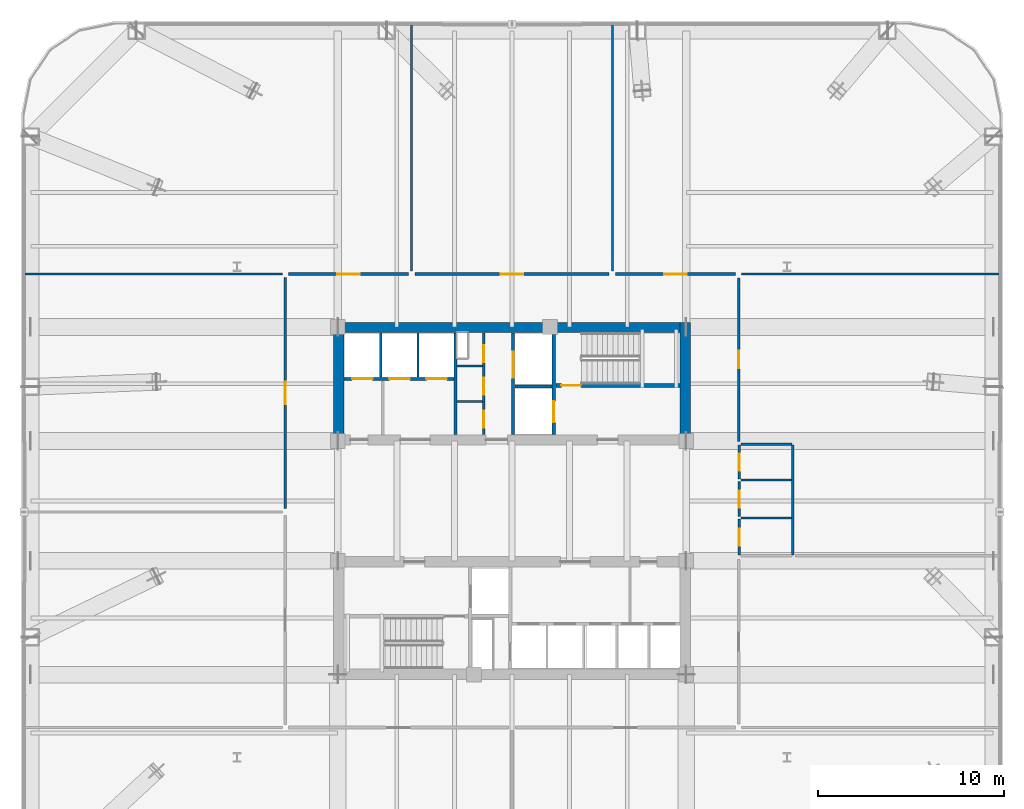
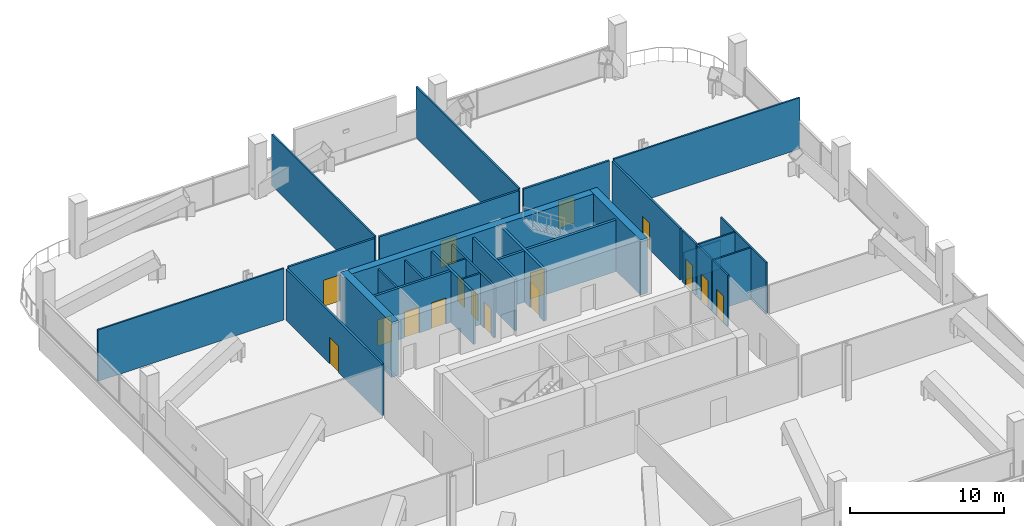
# One storey, part 31 of 38: 30 walls, 17 doors, 17 openings.
"""IFC4 building model written with IfcOpenShell, lengths in metres."""

from ifc_helpers import new_model, si_unit, direction, frame, frame_2d, origin, place, context, subcontext, project, spatial, rectangle, extrude, material, layer, layer_set, type_object, element, fill, save


model = new_model("IFC4")

# Units and contexts
model_context = context("Model", 3, precision=1e-05, world=origin(), true_north=direction((0.0, 1.0)))
body_context = subcontext(model_context, "Body", "Model", "MODEL_VIEW")
ifc_project = project(units=[si_unit("LENGTHUNIT", "METRE"), si_unit("AREAUNIT", "SQUARE_METRE"), si_unit("VOLUMEUNIT", "CUBIC_METRE"), si_unit("PLANEANGLEUNIT", "RADIAN"), si_unit("MASSUNIT", "GRAM", prefix="KILO")], contexts=[model_context])

# Site, building, storey
site_placement = place(None, origin())
site = spatial("IfcSite", under=ifc_project, at=site_placement, CompositionType="ELEMENT")
building_placement = place(site_placement, origin())
building = spatial("IfcBuilding", under=site, at=building_placement, Name="Qhalaya Broadcast Tower", CompositionType="ELEMENT")
storey_placement = place(building_placement, frame((0.0, 0.0, 53.550048828125)))
storey = spatial("IfcBuildingStorey", under=building, at=storey_placement, Name="L15", CompositionType="ELEMENT", Elevation=53.550048828125)

# Wall, openings, doors
ifc_material_1 = material(Name="Gypsum Acoustic Partition")
ifc_layer_1 = layer(ifc_material_1, 0.14990234375, Name="Gypsum Acoustic Partition")
ifc_layer_set_1 = layer_set([ifc_layer_1], Name="Gypsum Acoustic Partition")
wall_type_1 = type_object("IfcWallType", Name="Corridor & Tenancy Acoustic Partition 150", PredefinedType="PARTITIONING", material=ifc_layer_set_1)
wall_1_placement = place(storey_placement, frame((-1.52001953125, 4.169921875, 0.0), z_axis=(0.0, 0.0, 1.0), x_axis=(0.0, 1.0, 0.0)))
wall_1 = element("IfcWall", 1, at=wall_1_placement, inside=storey, type_object=wall_type_1, Name="L15 Partition Wall NCW-SVL", PredefinedType="PARTITIONING", context=body_context, shape_type="SweptSolid", body=[
    extrude(rectangle(XDim=5.4599609375, YDim=0.14990234375, at=frame_2d((2.72998046875, 0.0))), origin(), (0.0, 0.0, 1.0), 4.070068359375),
])
opening_1_placement = place(wall_1_placement, frame((3.89990234375, 0.0, 0.0)))
opening_1 = element("IfcOpeningElement", 2, at=opening_1_placement, cuts=wall_1, Name="Opening D06", PredefinedType="OPENING", context=body_context, shape_type="SweptSolid", body=[
    extrude(rectangle(XDim=0.89990234375, YDim=2.050048828125, at=frame_2d((0.449951171875, 1.02490234375))), frame((0.0, 0.0869140625, 0.0), z_axis=(0.0, -1.0, 0.0), x_axis=(1.0, 0.0, 0.0)), (0.0, 0.0, 1.0), 0.173828125),
])
opening_2_placement = place(wall_1_placement, frame((2.14990234375, 0.0, 0.0)))
opening_2 = element("IfcOpeningElement", 3, at=opening_2_placement, cuts=wall_1, Name="Opening D06", PredefinedType="OPENING", context=body_context, shape_type="SweptSolid", body=[
    extrude(rectangle(XDim=0.89990234375, YDim=2.050048828125, at=frame_2d((0.449951171875, 1.02490234375))), frame((0.0, 0.0869140625, 0.0), z_axis=(0.0, -1.0, 0.0), x_axis=(1.0, 0.0, 0.0)), (0.0, 0.0, 1.0), 0.173828125),
])
opening_3_placement = place(wall_1_placement, frame((0.35009765625, 0.0, 0.0)))
opening_3 = element("IfcOpeningElement", 4, at=opening_3_placement, cuts=wall_1, Name="Opening D12", PredefinedType="OPENING", context=body_context, shape_type="SweptSolid", body=[
    extrude(rectangle(XDim=0.919921875, YDim=2.10009765625, at=frame_2d((0.4599609375, 1.050048828125))), frame((0.0, 0.0869140625, 0.0), z_axis=(0.0, -1.0, 0.0), x_axis=(1.0, 0.0, 0.0)), (0.0, 0.0, 1.0), 0.173828125),
])
ifc_material_2 = material(Name="Timber Veneer Acoustic Door", Category="wood")
door_type_1 = type_object("IfcDoorType", Name="Accessible WC & Restroom Door D12", OperationType="NOTDEFINED", PredefinedType="DOOR", material=ifc_material_2)
door_1_placement = place(opening_3_placement, origin())
door_1 = element("IfcDoor", 5, at=door_1_placement, inside=storey, type_object=door_type_1, Name="L15 Door D-NCWC", OperationType="SINGLE_SWING_RIGHT", OverallHeight=2.10009765625, OverallWidth=0.919921875, PredefinedType="DOOR", context=body_context, shape_type="SweptSolid", body=[
    extrude(rectangle(XDim=0.919921875, YDim=2.10009765625, at=frame_2d((0.4599609375, 1.050048828125))), frame((0.0, 0.02490234375, 0.0), z_axis=(0.0, -1.0, 0.0), x_axis=(1.0, 0.0, 0.0)), (0.0, 0.0, 1.0), 0.050048828125),
])
fill(opening_3, door_1)
ifc_material_3 = material(Name="Fire-Rated Steel Door", Category="steel")
door_type_2 = type_object("IfcDoorType", Name="Riser & Electrical Shaft Access Door D06", OperationType="NOTDEFINED", PredefinedType="DOOR", material=ifc_material_3)
door_2_placement = place(opening_1_placement, origin())
door_2 = element("IfcDoor", 6, at=door_2_placement, inside=storey, type_object=door_type_2, Name="L15 Riser Shaft Access Door D-NRSR", OperationType="SINGLE_SWING_RIGHT", OverallHeight=2.050048828125, OverallWidth=0.89990234375, PredefinedType="DOOR", context=body_context, shape_type="SweptSolid", body=[
    extrude(rectangle(XDim=0.89990234375, YDim=2.050048828125, at=frame_2d((0.449951171875, 1.02490234375))), frame((0.0, 0.02490234375, 0.0), z_axis=(0.0, -1.0, 0.0), x_axis=(1.0, 0.0, 0.0)), (0.0, 0.0, 1.0), 0.050048828125),
])
fill(opening_1, door_2)
door_3_placement = place(opening_2_placement, origin())
door_3 = element("IfcDoor", 7, at=door_3_placement, inside=storey, type_object=door_type_2, Name="L15 Door D-NITR", OperationType="SINGLE_SWING_LEFT", OverallHeight=2.050048828125, OverallWidth=0.89990234375, PredefinedType="DOOR", context=body_context, shape_type="SweptSolid", body=[
    extrude(rectangle(XDim=0.89990234375, YDim=2.050048828125, at=frame_2d((0.449951171875, 1.02490234375))), frame((0.0, 0.02490234375, 0.0), z_axis=(0.0, -1.0, 0.0), x_axis=(1.0, 0.0, 0.0)), (0.0, 0.0, 1.0), 0.050048828125),
])
fill(opening_2, door_3)

# Wall, opening, door
wall_2_placement = place(storey_placement, frame((-12.02001953125, 12.800048828125, 0.0), z_axis=(0.0, 0.0, 1.0), x_axis=(1.0, 0.0, 0.0)))
wall_2 = element("IfcWall", 8, at=wall_2_placement, inside=storey, type_object=wall_type_1, Name="L15 Partition Wall W-COR-01", PredefinedType="PARTITIONING", context=body_context, shape_type="SweptSolid", body=[
    extrude(rectangle(XDim=6.43994140625, YDim=0.14990234375, at=frame_2d((3.219970703125, 0.0))), origin(), (0.0, 0.0, 1.0), 4.070068359375),
])
opening_4_placement = place(wall_2_placement, frame((2.6201171875, 0.0, 0.0)))
opening_4 = element("IfcOpeningElement", 9, at=opening_4_placement, cuts=wall_2, Name="Opening D11", PredefinedType="OPENING", context=body_context, shape_type="SweptSolid", body=[
    extrude(rectangle(XDim=1.199951171875, YDim=2.10009765625, at=frame_2d((0.60009765625, 1.050048828125))), frame((0.0, 0.0869140625, 0.0), z_axis=(0.0, -1.0, 0.0), x_axis=(1.0, 0.0, 0.0)), (0.0, 0.0, 1.0), 0.173828125),
])
ifc_material_4 = material(Name="Anodised Aluminium Glazed Door", Category="aluminium")
door_type_3 = type_object("IfcDoorType", Name="Conference, Boardroom & Studio Control Door D11", OperationType="NOTDEFINED", PredefinedType="DOOR", material=ifc_material_4)
door_4_placement = place(opening_4_placement, origin())
door_4 = element("IfcDoor", 10, at=door_4_placement, inside=storey, type_object=door_type_3, Name="L15 Door D-RM01", OperationType="SINGLE_SWING_LEFT", OverallHeight=2.10009765625, OverallWidth=1.199951171875, PredefinedType="DOOR", context=body_context, shape_type="SweptSolid", body=[
    extrude(rectangle(XDim=1.199951171875, YDim=2.10009765625, at=frame_2d((0.60009765625, 1.050048828125))), frame((0.0, 0.02490234375, 0.0), z_axis=(0.0, -1.0, 0.0), x_axis=(1.0, 0.0, 0.0)), (0.0, 0.0, 1.0), 0.050048828125),
])
fill(opening_4, door_4)

wall_3_placement = place(storey_placement, frame((-5.219970703125, 12.800048828125, 0.0), z_axis=(0.0, 0.0, 1.0), x_axis=(1.0, 0.0, 0.0)))
wall_3 = element("IfcWall", 11, at=wall_3_placement, inside=storey, type_object=wall_type_1, Name="L15 Partition Wall W-COR-02", PredefinedType="PARTITIONING", context=body_context, shape_type="SweptSolid", body=[
    extrude(rectangle(XDim=10.43994140625, YDim=0.14990234375, at=frame_2d((5.219970703125, 0.0))), origin(), (0.0, 0.0, 1.0), 4.070068359375),
])
opening_5_placement = place(wall_3_placement, frame((4.6201171875, 0.0, 0.0)))
opening_5 = element("IfcOpeningElement", 12, at=opening_5_placement, cuts=wall_3, Name="Opening D11", PredefinedType="OPENING", context=body_context, shape_type="SweptSolid", body=[
    extrude(rectangle(XDim=1.199951171875, YDim=2.10009765625, at=frame_2d((0.60009765625, 1.050048828125))), frame((0.0, 0.0869140625, 0.0), z_axis=(0.0, -1.0, 0.0), x_axis=(1.0, 0.0, 0.0)), (0.0, 0.0, 1.0), 0.173828125),
])
door_5_placement = place(opening_5_placement, origin())
door_5 = element("IfcDoor", 13, at=door_5_placement, inside=storey, type_object=door_type_3, Name="L15 Door D-RM02", OperationType="SINGLE_SWING_RIGHT", OverallHeight=2.10009765625, OverallWidth=1.199951171875, PredefinedType="DOOR", context=body_context, shape_type="SweptSolid", body=[
    extrude(rectangle(XDim=1.199951171875, YDim=2.10009765625, at=frame_2d((0.60009765625, 1.050048828125))), frame((0.0, 0.02490234375, 0.0), z_axis=(0.0, -1.0, 0.0), x_axis=(1.0, 0.0, 0.0)), (0.0, 0.0, 1.0), 0.050048828125),
])
fill(opening_5, door_5)

wall_4_placement = place(storey_placement, frame((5.580078125, 12.800048828125, 0.0), z_axis=(0.0, 0.0, 1.0), x_axis=(1.0, 0.0, 0.0)))
wall_4 = element("IfcWall", 14, at=wall_4_placement, inside=storey, type_object=wall_type_1, Name="L15 Partition Wall W-COR-03", PredefinedType="PARTITIONING", context=body_context, shape_type="SweptSolid", body=[
    extrude(rectangle(XDim=6.43994140625, YDim=0.14990234375, at=frame_2d((3.219970703125, 0.0))), origin(), (0.0, 0.0, 1.0), 4.070068359375),
])
opening_6_placement = place(wall_4_placement, frame((2.6201171875, 0.0, 0.0)))
opening_6 = element("IfcOpeningElement", 15, at=opening_6_placement, cuts=wall_4, Name="Opening D11", PredefinedType="OPENING", context=body_context, shape_type="SweptSolid", body=[
    extrude(rectangle(XDim=1.199951171875, YDim=2.10009765625, at=frame_2d((0.60009765625, 1.050048828125))), frame((0.0, 0.0869140625, 0.0), z_axis=(0.0, -1.0, 0.0), x_axis=(1.0, 0.0, 0.0)), (0.0, 0.0, 1.0), 0.173828125),
])
door_6_placement = place(opening_6_placement, origin())
door_6 = element("IfcDoor", 16, at=door_6_placement, inside=storey, type_object=door_type_3, Name="L15 Door D-RM03", OperationType="SINGLE_SWING_LEFT", OverallHeight=2.10009765625, OverallWidth=1.199951171875, PredefinedType="DOOR", context=body_context, shape_type="SweptSolid", body=[
    extrude(rectangle(XDim=1.199951171875, YDim=2.10009765625, at=frame_2d((0.60009765625, 1.050048828125))), frame((0.0, 0.02490234375, 0.0), z_axis=(0.0, -1.0, 0.0), x_axis=(1.0, 0.0, 0.0)), (0.0, 0.0, 1.0), 0.050048828125),
])
fill(opening_6, door_6)

wall_5_placement = place(storey_placement, frame((-12.199951171875, 0.179931640625, 0.0), z_axis=(0.0, 0.0, 1.0), x_axis=(0.0, 1.0, 0.0)))
wall_5 = element("IfcWall", 17, at=wall_5_placement, inside=storey, type_object=wall_type_1, Name="L15 Partition Wall W-COR-07", PredefinedType="PARTITIONING", context=body_context, shape_type="SweptSolid", body=[
    extrude(rectangle(XDim=12.440185546875, YDim=0.14990234375, at=frame_2d((6.22021484375, 0.0))), origin(), (0.0, 0.0, 1.0), 4.070068359375),
])
opening_7_placement = place(wall_5_placement, frame((5.6201171875, 0.0, 0.0)))
opening_7 = element("IfcOpeningElement", 18, at=opening_7_placement, cuts=wall_5, Name="Opening D11", PredefinedType="OPENING", context=body_context, shape_type="SweptSolid", body=[
    extrude(rectangle(XDim=1.199951171875, YDim=2.10009765625, at=frame_2d((0.60009765625, 1.050048828125))), frame((0.0, 0.0869140625, 0.0), z_axis=(0.0, -1.0, 0.0), x_axis=(1.0, 0.0, 0.0)), (0.0, 0.0, 1.0), 0.173828125),
])
door_7_placement = place(opening_7_placement, origin())
door_7 = element("IfcDoor", 19, at=door_7_placement, inside=storey, type_object=door_type_3, Name="L15 Door D-RM07", OperationType="SINGLE_SWING_LEFT", OverallHeight=2.10009765625, OverallWidth=1.199951171875, PredefinedType="DOOR", context=body_context, shape_type="SweptSolid", body=[
    extrude(rectangle(XDim=1.199951171875, YDim=2.10009765625, at=frame_2d((0.60009765625, 1.050048828125))), frame((0.0, 0.02490234375, 0.0), z_axis=(0.0, -1.0, 0.0), x_axis=(1.0, 0.0, 0.0)), (0.0, 0.0, 1.0), 0.050048828125),
])
fill(opening_7, door_7)

wall_6_placement = place(storey_placement, frame((12.199951171875, 3.800048828125, 0.0), z_axis=(0.0, 0.0, 1.0), x_axis=(0.0, 1.0, 0.0)))
wall_6 = element("IfcWall", 20, at=wall_6_placement, inside=storey, type_object=wall_type_1, Name="L15 Partition Wall W-COR-09", PredefinedType="PARTITIONING", context=body_context, shape_type="SweptSolid", body=[
    extrude(rectangle(XDim=8.800048828125, YDim=0.14990234375, at=frame_2d((4.39990234375, 0.0))), origin(), (0.0, 0.0, 1.0), 4.070068359375),
])
opening_8_placement = place(wall_6_placement, frame((3.925048828125, 0.0, 0.0)))
opening_8 = element("IfcOpeningElement", 21, at=opening_8_placement, cuts=wall_6, Name="Opening D10", PredefinedType="OPENING", context=body_context, shape_type="SweptSolid", body=[
    extrude(rectangle(XDim=0.949951171875, YDim=2.10009765625, at=frame_2d((0.47509765625, 1.050048828125))), frame((0.0, 0.0869140625, 0.0), z_axis=(0.0, -1.0, 0.0), x_axis=(1.0, 0.0, 0.0)), (0.0, 0.0, 1.0), 0.173828125),
])
door_type_4 = type_object("IfcDoorType", Name="Cellular Office & Edit Booth Door D10", OperationType="NOTDEFINED", PredefinedType="DOOR", material=ifc_material_2)
door_8_placement = place(opening_8_placement, origin())
door_8 = element("IfcDoor", 22, at=door_8_placement, inside=storey, type_object=door_type_4, Name="L15 Door D-RM09", OperationType="SINGLE_SWING_LEFT", OverallHeight=2.10009765625, OverallWidth=0.949951171875, PredefinedType="DOOR", context=body_context, shape_type="SweptSolid", body=[
    extrude(rectangle(XDim=0.949951171875, YDim=2.10009765625, at=frame_2d((0.47509765625, 1.050048828125))), frame((0.0, 0.02490234375, 0.0), z_axis=(0.0, -1.0, 0.0), x_axis=(1.0, 0.0, 0.0)), (0.0, 0.0, 1.0), 0.050048828125),
])
fill(opening_8, door_8)

ifc_material_5 = material(Name="Concrete C50/60", Category="concrete")
ifc_layer_2 = layer(ifc_material_5, 0.199951171875, Name="Concrete C50/60")
ifc_layer_set_2 = layer_set([ifc_layer_2], Name="Concrete C50/60")
wall_type_2 = type_object("IfcWallType", Name="Load-Bearing Stair Shaft Wall 200", PredefinedType="SHEAR", material=ifc_layer_set_2)
wall_7_placement = place(storey_placement, frame((2.360107421875, 6.804931640625, 0.0), z_axis=(0.0, 0.0, 1.0), x_axis=(1.0, 0.0, 0.0)))
wall_7 = element("IfcWall", 23, at=wall_7_placement, inside=storey, type_object=wall_type_2, Name="L15 Stair Core Shear Wall NCW-ST1", PredefinedType="SHEAR", context=body_context, shape_type="SweptSolid", body=[
    extrude(rectangle(XDim=6.669921875, YDim=0.199951171875, at=frame_2d((3.3349609375, 0.0))), origin(), (0.0, 0.0, 1.0), 4.070068359375),
])
opening_9_placement = place(wall_7_placement, frame((0.300048828125, 0.0, 0.0)))
opening_9 = element("IfcOpeningElement", 24, at=opening_9_placement, cuts=wall_7, Name="Opening D03", PredefinedType="OPENING", context=body_context, shape_type="SweptSolid", body=[
    extrude(rectangle(XDim=1.050048828125, YDim=2.080078125, at=frame_2d((0.52490234375, 1.0400390625))), frame((0.0, 0.112060546875, 0.0), z_axis=(0.0, -1.0, 0.0), x_axis=(1.0, 0.0, 0.0)), (0.0, 0.0, 1.0), 0.223876953125),
])
door_type_5 = type_object("IfcDoorType", Name="Core Stair Protected Fire Door D03", OperationType="NOTDEFINED", PredefinedType="DOOR", material=ifc_material_3)
door_9_placement = place(opening_9_placement, origin())
door_9 = element("IfcDoor", 25, at=door_9_placement, inside=storey, type_object=door_type_5, Name="L15 Door D-NST1", OperationType="SINGLE_SWING_LEFT", OverallHeight=2.080078125, OverallWidth=1.050048828125, PredefinedType="DOOR", context=body_context, shape_type="SweptSolid", body=[
    extrude(rectangle(XDim=1.050048828125, YDim=2.080078125, at=frame_2d((0.52490234375, 1.0400390625))), frame((0.0, 0.02490234375, 0.0), z_axis=(0.0, -1.0, 0.0), x_axis=(1.0, 0.0, 0.0)), (0.0, 0.0, 1.0), 0.050048828125),
])
fill(opening_9, door_9)

wall_8_placement = place(storey_placement, frame((2.25, 4.169921875, 0.0), z_axis=(0.0, 0.0, 1.0), x_axis=(0.0, 1.0, 0.0)))
wall_8 = element("IfcWall", 26, at=wall_8_placement, inside=storey, type_object=wall_type_2, Name="L15 Stair Core Shear Wall NCW-FF", PredefinedType="SHEAR", context=body_context, shape_type="SweptSolid", body=[
    extrude(rectangle(XDim=5.4599609375, YDim=0.199951171875, at=frame_2d((2.72998046875, 0.0))), origin(), (0.0, 0.0, 1.0), 4.070068359375),
])
opening_10_placement = place(wall_8_placement, frame((0.64990234375, 0.0, 0.0)))
opening_10 = element("IfcOpeningElement", 27, at=opening_10_placement, cuts=wall_8, Name="Opening LD2", PredefinedType="OPENING", context=body_context, shape_type="SweptSolid", body=[
    extrude(rectangle(XDim=1.14990234375, YDim=2.080078125, at=frame_2d((0.574951171875, 1.0400390625))), frame((0.0, 0.112060546875, 0.0), z_axis=(0.0, -1.0, 0.0), x_axis=(1.0, 0.0, 0.0)), (0.0, 0.0, 1.0), 0.223876953125),
])
ifc_material_6 = material(Name="Brushed Stainless Steel Lift Door", Category="steel")
door_type_6 = type_object("IfcDoorType", Name="Firefighting Lift Sliding Landing Door LD2", OperationType="DOUBLE_DOOR_SLIDING", PredefinedType="DOOR", material=ifc_material_6)
door_10_placement = place(opening_10_placement, origin())
door_10 = element("IfcDoor", 28, at=door_10_placement, inside=storey, type_object=door_type_6, Name="L15 Door LD-FF1", OperationType="DOUBLE_DOOR_SLIDING", OverallHeight=2.080078125, OverallWidth=1.14990234375, PredefinedType="DOOR", context=body_context, shape_type="SweptSolid", body=[
    extrude(rectangle(XDim=1.14990234375, YDim=2.080078125, at=frame_2d((0.574951171875, 1.0400390625))), frame((0.0, 0.02490234375, 0.0), z_axis=(0.0, -1.0, 0.0), x_axis=(1.0, 0.0, 0.0)), (0.0, 0.0, 1.0), 0.050048828125),
])
fill(opening_10, door_10)

# Walls
ifc_material_7 = material(Name="Concrete C60/75", Category="concrete")
ifc_layer_3 = layer(ifc_material_7, 0.550048828125, Name="Concrete C60/75")
ifc_layer_set_3 = layer_set([ifc_layer_3], Name="Concrete C60/75")
wall_type_3 = type_object("IfcWallType", Name="Lower Split-Core Shear Wall 550", PredefinedType="SHEAR", material=ifc_layer_set_3)
wall_9_placement = place(storey_placement, frame((-9.60009765625, 9.925048828125, 0.0), z_axis=(0.0, 0.0, 1.0), x_axis=(1.0, 0.0, 0.0)))
element("IfcWall", 29, at=wall_9_placement, inside=storey, type_object=wall_type_3, Name="L15 Split-Core Shear Wall CW-NN", PredefinedType="SHEAR", context=body_context, shape_type="SweptSolid", body=[
    extrude(rectangle(XDim=19.2001953125, YDim=0.550048828125, at=frame_2d((9.60009765625, 0.0))), origin(), (0.0, 0.0, 1.0), 4.349853515625),
])
for number, where, z_axis, x_axis, name in (
    (30, (-9.324951171875, 3.60009765625, 0.0), (0.0, 0.0, 1.0), (0.0, 1.0, 0.0), "L15 Split-Core Shear Wall CW-NW"),
    (31, (9.324951171875, 3.60009765625, 0.0), (0.0, 0.0, 1.0), (0.0, 1.0, 0.0), "L15 Split-Core Shear Wall CW-NE"),
):
    element("IfcWall", number, at=place(storey_placement, frame(where, z_axis=z_axis, x_axis=x_axis)), inside=storey, type_object=wall_type_3, Name=name, PredefinedType="SHEAR", context=body_context, shape_type="SweptSolid", body=[
        extrude(rectangle(XDim=6.599853515625, YDim=0.550048828125, at=frame_2d((3.2998046875, 0.0))), origin(), (0.0, 0.0, 1.0), 4.349853515625),
    ])
ifc_layer_4 = layer(ifc_material_1, 0.1201171875, Name="Gypsum Acoustic Partition")
ifc_layer_set_4 = layer_set([ifc_layer_4], Name="Gypsum Acoustic Partition")
wall_type_4 = type_object("IfcWallType", Name="Office, Booth & Sanitary Partition 120", PredefinedType="PARTITIONING", material=ifc_layer_set_4)
for number, where, z_axis, x_axis, name in (
    (32, (-2.9599609375, 5.949951171875, 0.0), (0.0, 0.0, 1.0), (1.0, 0.0, 0.0), "L15 Partition Wall NCW-VB1"),
    (33, (-2.9599609375, 7.85009765625, 0.0), (0.0, 0.0, 1.0), (1.0, 0.0, 0.0), "L15 Partition Wall NCW-VB2"),
):
    element("IfcWall", number, at=place(storey_placement, frame(where, z_axis=z_axis, x_axis=x_axis)), inside=storey, type_object=wall_type_4, Name=name, PredefinedType="PARTITIONING", context=body_context, shape_type="SweptSolid", body=[
        extrude(rectangle(XDim=1.35986328125, YDim=0.1201171875, at=frame_2d((0.679931640625, 0.0))), origin(), (0.0, 0.0, 1.0), 4.070068359375),
    ])
for number, where, z_axis, x_axis, name in (
    (34, (-7.06005859375, 7.25, 0.0), (0.0, 0.0, 1.0), (0.0, 1.0, 0.0), "L15 Partition Wall NCW-PD1"),
    (35, (-5.06005859375, 7.25, 0.0), (0.0, 0.0, 1.0), (0.0, 1.0, 0.0), "L15 Partition Wall NCW-PD2"),
):
    element("IfcWall", number, at=place(storey_placement, frame(where, z_axis=z_axis, x_axis=x_axis)), inside=storey, type_object=wall_type_4, Name=name, PredefinedType="PARTITIONING", context=body_context, shape_type="SweptSolid", body=[
        extrude(rectangle(XDim=2.3798828125, YDim=0.1201171875, at=frame_2d((1.18994140625, 0.0))), origin(), (0.0, 0.0, 1.0), 4.070068359375),
    ])

# Wall, opening, door
wall_10_placement = place(storey_placement, frame((12.219970703125, -2.320068359375, 0.0), z_axis=(0.0, 0.0, 1.0), x_axis=(0.0, 1.0, 0.0)))
wall_10 = element("IfcWall", 36, at=wall_10_placement, inside=storey, type_object=wall_type_4, Name="L15 Partition Wall W-WCWA", PredefinedType="PARTITIONING", context=body_context, shape_type="SweptSolid", body=[
    extrude(rectangle(XDim=1.940185546875, YDim=0.1201171875, at=frame_2d((0.97021484375, 0.0))), origin(), (0.0, 0.0, 1.0), 4.070068359375),
])
opening_11_placement = place(wall_10_placement, frame((0.4951171875, 0.0, 0.0)))
opening_11 = element("IfcOpeningElement", 37, at=opening_11_placement, cuts=wall_10, Name="Opening D12", PredefinedType="OPENING", context=body_context, shape_type="SweptSolid", body=[
    extrude(rectangle(XDim=0.919921875, YDim=2.10009765625, at=frame_2d((0.4599609375, 1.050048828125))), frame((0.0, 0.072021484375, 0.0), z_axis=(0.0, -1.0, 0.0), x_axis=(1.0, 0.0, 0.0)), (0.0, 0.0, 1.0), 0.14404296875),
])
door_11_placement = place(opening_11_placement, origin())
door_11 = element("IfcDoor", 38, at=door_11_placement, inside=storey, type_object=door_type_1, Name="L15 Door D-WCA", OperationType="SINGLE_SWING_LEFT", OverallHeight=2.10009765625, OverallWidth=0.919921875, PredefinedType="DOOR", context=body_context, shape_type="SweptSolid", body=[
    extrude(rectangle(XDim=0.919921875, YDim=2.10009765625, at=frame_2d((0.4599609375, 1.050048828125))), frame((0.0, 0.02490234375, 0.0), z_axis=(0.0, -1.0, 0.0), x_axis=(1.0, 0.0, 0.0)), (0.0, 0.0, 1.0), 0.050048828125),
])
fill(opening_11, door_11)

wall_11_placement = place(storey_placement, frame((12.219970703125, -0.25, 0.0), z_axis=(0.0, 0.0, 1.0), x_axis=(0.0, 1.0, 0.0)))
wall_11 = element("IfcWall", 39, at=wall_11_placement, inside=storey, type_object=wall_type_4, Name="L15 Partition Wall W-WCWM", PredefinedType="PARTITIONING", context=body_context, shape_type="SweptSolid", body=[
    extrude(rectangle(XDim=1.89990234375, YDim=0.1201171875, at=frame_2d((0.949951171875, 0.0))), origin(), (0.0, 0.0, 1.0), 4.070068359375),
])
opening_12_placement = place(wall_11_placement, frame((0.47509765625, 0.0, 0.0)))
opening_12 = element("IfcOpeningElement", 40, at=opening_12_placement, cuts=wall_11, Name="Opening D12", PredefinedType="OPENING", context=body_context, shape_type="SweptSolid", body=[
    extrude(rectangle(XDim=0.919921875, YDim=2.10009765625, at=frame_2d((0.4599609375, 1.050048828125))), frame((0.0, 0.072021484375, 0.0), z_axis=(0.0, -1.0, 0.0), x_axis=(1.0, 0.0, 0.0)), (0.0, 0.0, 1.0), 0.14404296875),
])
door_12_placement = place(opening_12_placement, origin())
door_12 = element("IfcDoor", 41, at=door_12_placement, inside=storey, type_object=door_type_1, Name="L15 Door D-WCM", OperationType="SINGLE_SWING_RIGHT", OverallHeight=2.10009765625, OverallWidth=0.919921875, PredefinedType="DOOR", context=body_context, shape_type="SweptSolid", body=[
    extrude(rectangle(XDim=0.919921875, YDim=2.10009765625, at=frame_2d((0.4599609375, 1.050048828125))), frame((0.0, 0.02490234375, 0.0), z_axis=(0.0, -1.0, 0.0), x_axis=(1.0, 0.0, 0.0)), (0.0, 0.0, 1.0), 0.050048828125),
])
fill(opening_12, door_12)

wall_12_placement = place(storey_placement, frame((12.219970703125, 1.780029296875, 0.0), z_axis=(0.0, 0.0, 1.0), x_axis=(0.0, 1.0, 0.0)))
wall_12 = element("IfcWall", 42, at=wall_12_placement, inside=storey, type_object=wall_type_4, Name="L15 Partition Wall W-WCWF", PredefinedType="PARTITIONING", context=body_context, shape_type="SweptSolid", body=[
    extrude(rectangle(XDim=1.830078125, YDim=0.1201171875, at=frame_2d((0.9150390625, 0.0))), origin(), (0.0, 0.0, 1.0), 4.070068359375),
])
opening_13_placement = place(wall_12_placement, frame((0.43994140625, 0.0, 0.0)))
opening_13 = element("IfcOpeningElement", 43, at=opening_13_placement, cuts=wall_12, Name="Opening D12", PredefinedType="OPENING", context=body_context, shape_type="SweptSolid", body=[
    extrude(rectangle(XDim=0.919921875, YDim=2.10009765625, at=frame_2d((0.4599609375, 1.050048828125))), frame((0.0, 0.072021484375, 0.0), z_axis=(0.0, -1.0, 0.0), x_axis=(1.0, 0.0, 0.0)), (0.0, 0.0, 1.0), 0.14404296875),
])
door_13_placement = place(opening_13_placement, origin())
door_13 = element("IfcDoor", 44, at=door_13_placement, inside=storey, type_object=door_type_1, Name="L15 Door D-WCF", OperationType="SINGLE_SWING_LEFT", OverallHeight=2.10009765625, OverallWidth=0.919921875, PredefinedType="DOOR", context=body_context, shape_type="SweptSolid", body=[
    extrude(rectangle(XDim=0.919921875, YDim=2.10009765625, at=frame_2d((0.4599609375, 1.050048828125))), frame((0.0, 0.02490234375, 0.0), z_axis=(0.0, -1.0, 0.0), x_axis=(1.0, 0.0, 0.0)), (0.0, 0.0, 1.0), 0.050048828125),
])
fill(opening_13, door_13)

# Walls
wall_13_placement = place(storey_placement, frame((15.10009765625, -2.320068359375, 0.0), z_axis=(0.0, 0.0, 1.0), x_axis=(0.0, 1.0, 0.0)))
element("IfcWall", 45, at=wall_13_placement, inside=storey, type_object=wall_type_4, Name="L15 Partition Wall W-WCE", PredefinedType="PARTITIONING", context=body_context, shape_type="SweptSolid", body=[
    extrude(rectangle(XDim=5.93017578125, YDim=0.1201171875, at=frame_2d((2.965087890625, 0.0))), origin(), (0.0, 0.0, 1.0), 4.070068359375),
])
wall_14_placement = place(storey_placement, frame((12.31005859375, 3.639892578125, 0.0), z_axis=(0.0, 0.0, 1.0), x_axis=(1.0, 0.0, 0.0)))
element("IfcWall", 46, at=wall_14_placement, inside=storey, type_object=wall_type_4, Name="L15 Partition Wall W-WCN", PredefinedType="PARTITIONING", context=body_context, shape_type="SweptSolid", body=[
    extrude(rectangle(XDim=2.760009765625, YDim=0.1201171875, at=frame_2d((1.3798828125, 0.0))), origin(), (0.0, 0.0, 1.0), 2.25),
])
for number, where, z_axis, x_axis, name in (
    (47, (12.31005859375, -0.320068359375, 0.0), (0.0, 0.0, 1.0), (1.0, 0.0, 0.0), "L15 Partition Wall W-WCD1"),
    (48, (12.31005859375, 1.719970703125, 0.0), (0.0, 0.0, 1.0), (1.0, 0.0, 0.0), "L15 Partition Wall W-WCD2"),
):
    element("IfcWall", number, at=place(storey_placement, frame(where, z_axis=z_axis, x_axis=x_axis)), inside=storey, type_object=wall_type_4, Name=name, PredefinedType="PARTITIONING", context=body_context, shape_type="SweptSolid", body=[
        extrude(rectangle(XDim=2.719970703125, YDim=0.1201171875, at=frame_2d((1.35986328125, 0.0))), origin(), (0.0, 0.0, 1.0), 4.070068359375),
    ])
for number, where, z_axis, x_axis, name in (
    (49, (-26.280029296875, 12.800048828125, 0.0), (0.0, 0.0, 1.0), (1.0, 0.0, 0.0), "L15 Partition Wall W-BNDW1"),
    (50, (12.340087890625, 12.800048828125, 0.0), (0.0, 0.0, 1.0), (1.0, 0.0, 0.0), "L15 Partition Wall W-BNDE1"),
):
    element("IfcWall", number, at=place(storey_placement, frame(where, z_axis=z_axis, x_axis=x_axis)), inside=storey, type_object=wall_type_4, Name=name, PredefinedType="PARTITIONING", context=body_context, shape_type="SweptSolid", body=[
        extrude(rectangle(XDim=13.93994140625, YDim=0.1201171875, at=frame_2d((6.969970703125, 0.0))), origin(), (0.0, 0.0, 1.0), 4.070068359375),
    ])
for number, where, z_axis, x_axis, name in (
    (51, (-5.39990234375, 12.9599609375, 0.0), (0.0, 0.0, 1.0), (0.0, 1.0, 0.0), "L15 Partition Wall W-DIVN1"),
    (52, (5.39990234375, 12.9599609375, 0.0), (0.0, 0.0, 1.0), (0.0, 1.0, 0.0), "L15 Partition Wall W-DIVN2"),
):
    element("IfcWall", number, at=place(storey_placement, frame(where, z_axis=z_axis, x_axis=x_axis)), inside=storey, type_object=wall_type_4, Name=name, PredefinedType="PARTITIONING", context=body_context, shape_type="SweptSolid", body=[
        extrude(rectangle(XDim=13.320068359375, YDim=0.1201171875, at=frame_2d((6.66015625, 0.0))), origin(), (0.0, 0.0, 1.0), 4.070068359375),
    ])

# Wall, opening, door
ifc_layer_5 = layer(ifc_material_1, 0.175048828125, Name="Gypsum Acoustic Partition")
ifc_layer_set_5 = layer_set([ifc_layer_5], Name="Gypsum Acoustic Partition")
wall_type_5 = type_object("IfcWallType", Name="Shaft & Riser Fire Partition 175", PredefinedType="PARTITIONING", material=ifc_layer_set_5)
wall_15_placement = place(storey_placement, frame((0.06005859375, 4.169921875, 0.0), z_axis=(0.0, 0.0, 1.0), x_axis=(0.0, 1.0, 0.0)))
wall_15 = element("IfcWall", 53, at=wall_15_placement, inside=storey, type_object=wall_type_5, Name="L15 Partition Wall NCW-SVW", PredefinedType="PARTITIONING", context=body_context, shape_type="SweptSolid", body=[
    extrude(rectangle(XDim=5.4599609375, YDim=0.175048828125, at=frame_2d((2.72998046875, 0.0))), origin(), (0.0, 0.0, 1.0), 4.070068359375),
])
opening_14_placement = place(wall_15_placement, frame((3.050048828125, 0.0, 0.0)))
opening_14 = element("IfcOpeningElement", 54, at=opening_14_placement, cuts=wall_15, Name="Opening LD3", PredefinedType="OPENING", context=body_context, shape_type="SweptSolid", body=[
    extrude(rectangle(XDim=1.39990234375, YDim=2.1201171875, at=frame_2d((0.699951171875, 1.06005859375))), frame((0.0, 0.099609375, 0.0), z_axis=(0.0, -1.0, 0.0), x_axis=(1.0, 0.0, 0.0)), (0.0, 0.0, 1.0), 0.198974609375),
])
door_type_7 = type_object("IfcDoorType", Name="Service Lift Wide Sliding Landing Door LD3", OperationType="DOUBLE_DOOR_SLIDING", PredefinedType="DOOR", material=ifc_material_6)
door_14_placement = place(opening_14_placement, origin())
door_14 = element("IfcDoor", 55, at=door_14_placement, inside=storey, type_object=door_type_7, Name="L15 Door LD-SV1", OperationType="DOUBLE_DOOR_SLIDING", OverallHeight=2.1201171875, OverallWidth=1.39990234375, PredefinedType="DOOR", context=body_context, shape_type="SweptSolid", body=[
    extrude(rectangle(XDim=1.39990234375, YDim=2.1201171875, at=frame_2d((0.699951171875, 1.06005859375))), frame((0.0, 0.02490234375, 0.0), z_axis=(0.0, -1.0, 0.0), x_axis=(1.0, 0.0, 0.0)), (0.0, 0.0, 1.0), 0.050048828125),
])
fill(opening_14, door_14)

# Walls
wall_16_placement = place(storey_placement, frame((0.159912109375, 6.75, 0.0), z_axis=(0.0, 0.0, 1.0), x_axis=(1.0, 0.0, 0.0)))
element("IfcWall", 56, at=wall_16_placement, inside=storey, type_object=wall_type_5, Name="L15 Partition Wall NCW-SVM", PredefinedType="PARTITIONING", context=body_context, shape_type="SweptSolid", body=[
    extrude(rectangle(XDim=1.97998046875, YDim=0.175048828125, at=frame_2d((0.989990234375, 0.0))), origin(), (0.0, 0.0, 1.0), 4.070068359375),
])
wall_17_placement = place(storey_placement, frame((-3.0400390625, 4.169921875, 0.0), z_axis=(0.0, 0.0, 1.0), x_axis=(0.0, 1.0, 0.0)))
element("IfcWall", 57, at=wall_17_placement, inside=storey, type_object=wall_type_5, Name="L15 Partition Wall NCW-VRW", PredefinedType="PARTITIONING", context=body_context, shape_type="SweptSolid", body=[
    extrude(rectangle(XDim=5.4599609375, YDim=0.175048828125, at=frame_2d((2.72998046875, 0.0))), origin(), (0.0, 0.0, 1.0), 4.070068359375),
])

# Wall, openings, doors
wall_18_placement = place(storey_placement, frame((-9.030029296875, 7.159912109375, 0.0), z_axis=(0.0, 0.0, 1.0), x_axis=(1.0, 0.0, 0.0)))
wall_18 = element("IfcWall", 58, at=wall_18_placement, inside=storey, type_object=wall_type_5, Name="L15 Partition Wall NCW-PLB", PredefinedType="PARTITIONING", context=body_context, shape_type="SweptSolid", body=[
    extrude(rectangle(XDim=5.909912109375, YDim=0.175048828125, at=frame_2d((2.955078125, 0.0))), origin(), (0.0, 0.0, 1.0), 4.070068359375),
])
opening_15_placement = place(wall_18_placement, frame((0.429931640625, 0.0, 0.0)))
opening_15 = element("IfcOpeningElement", 59, at=opening_15_placement, cuts=wall_18, Name="Opening LD1", PredefinedType="OPENING", context=body_context, shape_type="SweptSolid", body=[
    extrude(rectangle(XDim=1.10009765625, YDim=2.06005859375, at=frame_2d((0.550048828125, 1.030029296875))), frame((0.0, 0.099609375, 0.0), z_axis=(0.0, -1.0, 0.0), x_axis=(1.0, 0.0, 0.0)), (0.0, 0.0, 1.0), 0.198974609375),
])
opening_16_placement = place(wall_18_placement, frame((2.429931640625, 0.0, 0.0)))
opening_16 = element("IfcOpeningElement", 60, at=opening_16_placement, cuts=wall_18, Name="Opening LD1", PredefinedType="OPENING", context=body_context, shape_type="SweptSolid", body=[
    extrude(rectangle(XDim=1.10009765625, YDim=2.06005859375, at=frame_2d((0.550048828125, 1.030029296875))), frame((0.0, 0.099609375, 0.0), z_axis=(0.0, -1.0, 0.0), x_axis=(1.0, 0.0, 0.0)), (0.0, 0.0, 1.0), 0.198974609375),
])
opening_17_placement = place(wall_18_placement, frame((4.429931640625, 0.0, 0.0)))
opening_17 = element("IfcOpeningElement", 61, at=opening_17_placement, cuts=wall_18, Name="Opening LD1", PredefinedType="OPENING", context=body_context, shape_type="SweptSolid", body=[
    extrude(rectangle(XDim=1.10009765625, YDim=2.06005859375, at=frame_2d((0.550048828125, 1.030029296875))), frame((0.0, 0.099609375, 0.0), z_axis=(0.0, -1.0, 0.0), x_axis=(1.0, 0.0, 0.0)), (0.0, 0.0, 1.0), 0.198974609375),
])
door_type_8 = type_object("IfcDoorType", Name="Passenger Lift Sliding Landing Door LD1", OperationType="DOUBLE_DOOR_SLIDING", PredefinedType="DOOR", material=ifc_material_6)
door_15_placement = place(opening_15_placement, origin())
door_15 = element("IfcDoor", 62, at=door_15_placement, inside=storey, type_object=door_type_8, Name="L15 Door LD-P1", OperationType="DOUBLE_DOOR_SLIDING", OverallHeight=2.06005859375, OverallWidth=1.10009765625, PredefinedType="DOOR", context=body_context, shape_type="SweptSolid", body=[
    extrude(rectangle(XDim=1.10009765625, YDim=2.06005859375, at=frame_2d((0.550048828125, 1.030029296875))), frame((0.0, 0.02490234375, 0.0), z_axis=(0.0, -1.0, 0.0), x_axis=(1.0, 0.0, 0.0)), (0.0, 0.0, 1.0), 0.050048828125),
])
fill(opening_15, door_15)
door_16_placement = place(opening_16_placement, origin())
door_16 = element("IfcDoor", 63, at=door_16_placement, inside=storey, type_object=door_type_8, Name="L15 Door LD-P2", OperationType="DOUBLE_DOOR_SLIDING", OverallHeight=2.06005859375, OverallWidth=1.10009765625, PredefinedType="DOOR", context=body_context, shape_type="SweptSolid", body=[
    extrude(rectangle(XDim=1.10009765625, YDim=2.06005859375, at=frame_2d((0.550048828125, 1.030029296875))), frame((0.0, 0.02490234375, 0.0), z_axis=(0.0, -1.0, 0.0), x_axis=(1.0, 0.0, 0.0)), (0.0, 0.0, 1.0), 0.050048828125),
])
fill(opening_16, door_16)
door_17_placement = place(opening_17_placement, origin())
door_17 = element("IfcDoor", 64, at=door_17_placement, inside=storey, type_object=door_type_8, Name="L15 Door LD-P3", OperationType="DOUBLE_DOOR_SLIDING", OverallHeight=2.06005859375, OverallWidth=1.10009765625, PredefinedType="DOOR", context=body_context, shape_type="SweptSolid", body=[
    extrude(rectangle(XDim=1.10009765625, YDim=2.06005859375, at=frame_2d((0.550048828125, 1.030029296875))), frame((0.0, 0.02490234375, 0.0), z_axis=(0.0, -1.0, 0.0), x_axis=(1.0, 0.0, 0.0)), (0.0, 0.0, 1.0), 0.050048828125),
])
fill(opening_17, door_17)

save(model, "model.ifc")
